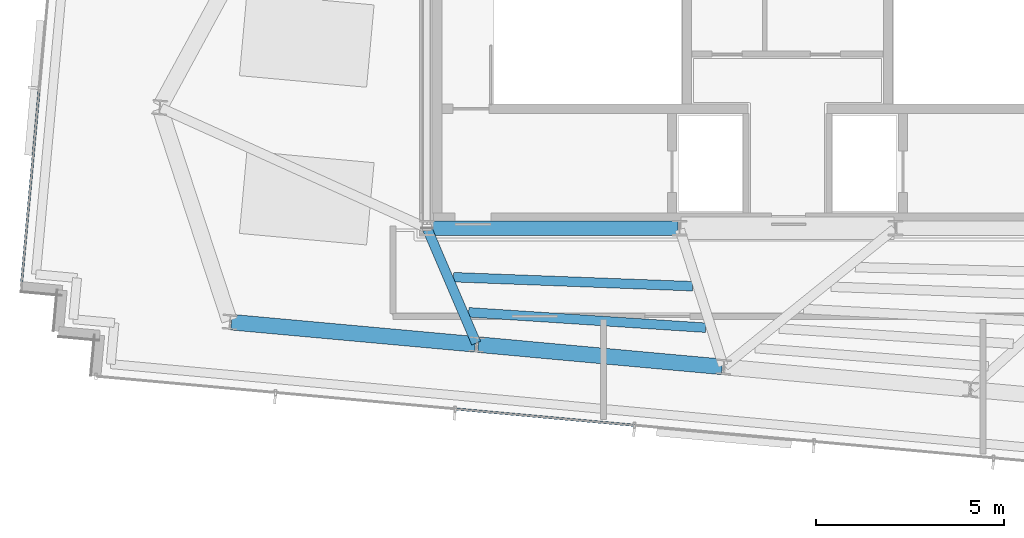
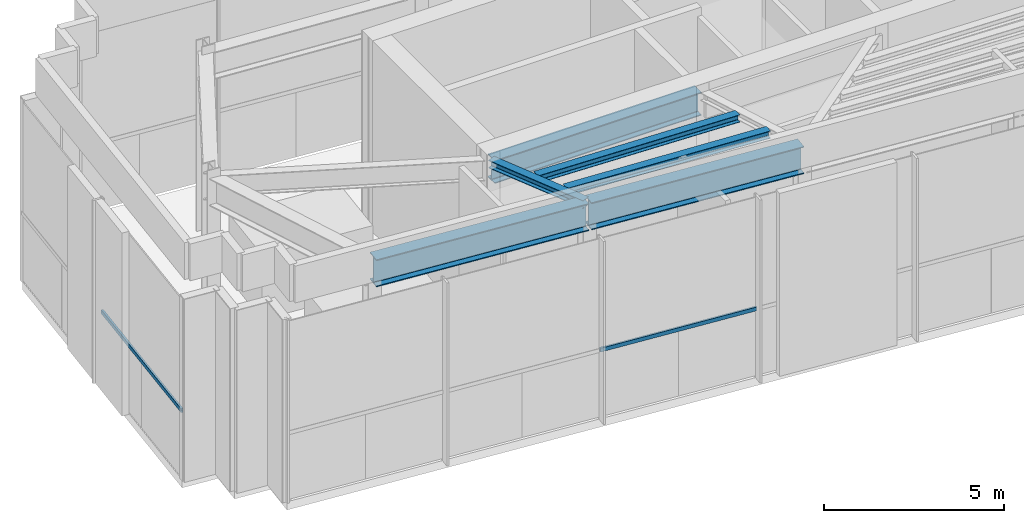
# One storey, part 3 of 18: 6 beams, 2 members, 2 elements without a shape of their own.
"""IFC4 building model written with IfcOpenShell, lengths in metres."""

import ifcopenshell
import ifcopenshell.guid

model = None  # the IFC model being written
_history = None  # IfcOwnerHistory: only IFC2X3 demands one
_inside = {}  # id of a spatial element -> (the spatial element, [elements in it])
_under = {}  # id of a project, library or spatial element -> (it, [spatial elements below it])
_declared = {}  # id of a project -> (the project, [libraries it declares])
_typed = {}  # id of a type object -> (the type object, [elements of that type])
_made_of = {}  # id of a material, layer set ... -> (it, [elements and type objects made of it])


def new_model(schema):
    """Start an empty IFC model of exactly this schema.

    Asked for "IFC4X3", IfcOpenShell would pick the latest addendum, in which some entities
    have other attributes; the version numbers below select the first issue.
    IFC2X3 requires an IfcOwnerHistory on every rooted entity: one is made here for all.
    """
    global model, _history
    if schema == "IFC4X3":
        model = ifcopenshell.file(schema_version=(4, 3, 0, 0))
    else:
        model = ifcopenshell.file(schema=schema)
    _inside.clear()
    _under.clear()
    _declared.clear()
    _typed.clear()
    _made_of.clear()
    _history = None
    if model.schema == "IFC2X3":
        org = make("IfcOrganization", Name="unknown")
        user = make(
            "IfcPersonAndOrganization",
            ThePerson=make("IfcPerson", FamilyName="unknown"),
            TheOrganization=org,
        )
        app = make(
            "IfcApplication",
            ApplicationDeveloper=org,
            Version="unknown",
            ApplicationFullName="unknown",
            ApplicationIdentifier="unknown",
        )
        _history = make(
            "IfcOwnerHistory",
            OwningUser=user,
            OwningApplication=app,
            ChangeAction="ADDED",
            CreationDate=0,
        )
    return model


def make(cls, **values):
    """One entity of the class cls with the attributes given. An attribute that is None is left unset."""
    return model.create_entity(
        cls, **{name: value for name, value in values.items() if value is not None}
    )


def rooted(cls, **values):
    """An entity with a GlobalId (a new one), such as an element, a storey or a relation."""
    return make(cls, GlobalId=ifcopenshell.guid.new(), OwnerHistory=_history, **values)


def si_unit(unit_type, name, prefix=None):
    """IfcSIUnit, for example si_unit("LENGTHUNIT", "METRE", prefix="MILLI")."""
    return make("IfcSIUnit", UnitType=unit_type, Prefix=prefix, Name=name)


def assignment(units):
    """IfcUnitAssignment: the units of a project."""
    return None if units is None else make("IfcUnitAssignment", Units=units)


def point(xyz):
    """IfcCartesianPoint."""
    return None if xyz is None else make("IfcCartesianPoint", Coordinates=xyz)


def direction(xyz):
    """IfcDirection."""
    return None if xyz is None else make("IfcDirection", DirectionRatios=xyz)


def frame(location, z_axis=None, x_axis=None):
    """IfcAxis2Placement3D, a coordinate frame: its origin and axes. An axis left out is left unset."""
    return make(
        "IfcAxis2Placement3D",
        Location=point(location),
        Axis=direction(z_axis),
        RefDirection=direction(x_axis),
    )


def frame_2d(location, x_axis=None):
    """IfcAxis2Placement2D, a coordinate frame in the plane: its origin and x axis."""
    return make(
        "IfcAxis2Placement2D", Location=point(location), RefDirection=direction(x_axis)
    )


def origin():
    """The frame at (0, 0, 0) with its axes left unset."""
    return frame((0.0, 0.0, 0.0))


def origin_2d():
    """The frame at (0, 0) in the plane with its x axis left unset."""
    return frame_2d((0.0, 0.0))


def place(relative_to, where):
    """IfcLocalPlacement: puts the frame where relative to a parent placement (None: the world)."""
    return make(
        "IfcLocalPlacement", PlacementRelTo=relative_to, RelativePlacement=where
    )


def context(
    kind, dimensions, precision=None, world=None, true_north=None, identifier=None
):
    """IfcGeometricRepresentationContext, for example the 3D "Model" context."""
    return make(
        "IfcGeometricRepresentationContext",
        ContextIdentifier=identifier,
        ContextType=kind,
        CoordinateSpaceDimension=dimensions,
        Precision=precision,
        WorldCoordinateSystem=world,
        TrueNorth=true_north,
    )


def subcontext(parent, identifier, kind, view, scale=None):
    """IfcGeometricRepresentationSubContext, for example "Body" below "Model"."""
    return make(
        "IfcGeometricRepresentationSubContext",
        ContextIdentifier=identifier,
        ContextType=kind,
        ParentContext=parent,
        TargetScale=scale,
        TargetView=view,
    )


def project(units=None, contexts=None):
    """IfcProject with its units and contexts."""
    return rooted(
        "IfcProject",
        Name="project",
        RepresentationContexts=contexts,
        UnitsInContext=assignment(units),
    )


def spatial(cls, under=None, at=None, **own):
    """A site, building, storey or space (cls), placed at a placement, below another one or the project."""
    s = rooted(cls, ObjectPlacement=at, **own)
    if under is not None:
        _under.setdefault(under.id(), (under, []))[1].append(s)
    return s


def profile(cls, at=None, kind="AREA", **sizes):
    """A parametric profile (cls). Its sizes go by their IFC names, for example OverallWidth=200.0."""
    return make(cls, ProfileType=kind, Position=at, **sizes)


def hollow_rectangle(**sizes):
    """IfcRectangleHollowProfileDef."""
    return profile("IfcRectangleHollowProfileDef", **sizes)


def i_section(**sizes):
    """IfcIShapeProfileDef."""
    return profile("IfcIShapeProfileDef", **sizes)


def extrude(swept, where, along, depth):
    """IfcExtrudedAreaSolid: the profile swept, set in the frame where, extruded along a direction by depth."""
    return make(
        "IfcExtrudedAreaSolid",
        SweptArea=swept,
        Position=where,
        ExtrudedDirection=direction(along),
        Depth=depth,
    )


def shape(context_of_items, identifier, shape_type, items):
    """IfcShapeRepresentation: the items that make up one representation, for example the "Body"."""
    return make(
        "IfcShapeRepresentation",
        ContextOfItems=context_of_items,
        RepresentationIdentifier=identifier,
        RepresentationType=shape_type,
        Items=items,
    )


def source(mapping_origin, context_of_items, identifier, shape_type, items):
    """IfcRepresentationMap: a shape defined once, which mapped items show again and again."""
    return make(
        "IfcRepresentationMap",
        MappingOrigin=mapping_origin,
        MappedRepresentation=shape(context_of_items, identifier, shape_type, items),
    )


def transform(
    local_origin,
    x_axis=None,
    y_axis=None,
    z_axis=None,
    scale=None,
    scale2=None,
    scale3=None,
    uniform=True,
):
    """IfcCartesianTransformationOperator3D, or its non-uniform kind. x_axis, y_axis, z_axis: its Axis1, 2, 3."""
    if uniform:
        return make(
            "IfcCartesianTransformationOperator3D",
            Axis1=direction(x_axis),
            Axis2=direction(y_axis),
            LocalOrigin=point(local_origin),
            Scale=scale,
            Axis3=direction(z_axis),
        )
    return make(
        "IfcCartesianTransformationOperator3DnonUniform",
        Axis1=direction(x_axis),
        Axis2=direction(y_axis),
        LocalOrigin=point(local_origin),
        Scale=scale,
        Axis3=direction(z_axis),
        Scale2=scale2,
        Scale3=scale3,
    )


def mapped(mapping_source, mapping_target):
    """IfcMappedItem: shows the shape of a source again, moved by a transform."""
    return make(
        "IfcMappedItem", MappingSource=mapping_source, MappingTarget=mapping_target
    )


def material(Name=None, Category=None):
    """IfcMaterial."""
    return make("IfcMaterial", Name=Name, Category=Category)


def material_profile(
    of_material, cross_section, Name=None, Category=None, Priority=None
):
    """IfcMaterialProfile: a cross section and its material."""
    return make(
        "IfcMaterialProfile",
        Name=Name,
        Material=of_material,
        Profile=cross_section,
        Priority=Priority,
        Category=Category,
    )


def profile_set(profiles, Name=None, composite=None):
    """IfcMaterialProfileSet."""
    return make(
        "IfcMaterialProfileSet",
        Name=Name,
        MaterialProfiles=profiles,
        CompositeProfile=composite,
    )


def made_of(thing, what):
    """Note that an element or type object is made of a material, layer set ...; save() writes the relation."""
    if what is not None:
        _made_of.setdefault(what.id(), (what, []))[1].append(thing)
    return thing


def type_object(cls, material=None, **own):
    """A type object (cls), such as IfcWallType, which elements share."""
    return made_of(rooted(cls, **own), material)


def type_shapes(of_type, sources):
    """Give a type object the sources (RepresentationMaps) that its elements show as mapped items."""
    of_type.RepresentationMaps = sources


def element(
    cls,
    number,
    at=None,
    inside=None,
    cuts=None,
    type_object=None,
    material=None,
    context=None,
    identifier="Body",
    shape_type=None,
    held_by="IfcProductDefinitionShape",
    body=None,
    shapes=None,
    **own,
):
    """One element of the class cls, such as IfcWall. Its Tag is "e" and its number.

    at: its placement. inside: the storey or other place that contains it. cuts: it is an
    opening in that element (IfcRelVoidsElement). A single representation is given by context,
    identifier, shape_type and body (its items); several are given by shapes. held_by: the class
    of the entity that holds the representations. save() writes the other relations.
    """
    e = rooted(cls, Tag="e%d" % number, ObjectPlacement=at, **own)
    if body is not None:
        shapes = [shape(context, identifier, shape_type, body)]
    if shapes is not None:
        e.Representation = make(held_by, Representations=shapes)
    if inside is not None:
        _inside.setdefault(inside.id(), (inside, []))[1].append(e)
    if cuts is not None:
        rooted(
            "IfcRelVoidsElement", RelatingBuildingElement=cuts, RelatedOpeningElement=e
        )
    if type_object is not None:
        _typed.setdefault(type_object.id(), (type_object, []))[1].append(e)
    return made_of(e, material)


def aggregate(whole, parts):
    """IfcRelAggregates: a whole, such as a stair, and the parts it consists of."""
    return rooted("IfcRelAggregates", RelatingObject=whole, RelatedObjects=parts)


def save(model, path):
    """Write the relations noted so far, then the file.

    IfcRelAggregates (storeys below a building ...), IfcRelContainedInSpatialStructure (elements
    in a storey), IfcRelDefinesByType, IfcRelAssociatesMaterial and IfcRelDeclares: one each for
    every whole, place, type object, material and project.
    """
    for whole, parts in _under.values():
        aggregate(whole, parts)
    for where, things in _inside.values():
        rooted(
            "IfcRelContainedInSpatialStructure",
            RelatedElements=things,
            RelatingStructure=where,
        )
    for kind, things in _typed.values():
        rooted("IfcRelDefinesByType", RelatedObjects=things, RelatingType=kind)
    for what, things in _made_of.values():
        rooted("IfcRelAssociatesMaterial", RelatedObjects=things, RelatingMaterial=what)
    for by, libraries in _declared.values():
        rooted("IfcRelDeclares", RelatingContext=by, RelatedDefinitions=libraries)
    model.write(path)


model = new_model("IFC4")

# Units and contexts
model_context = context("Model", 3, precision=1e-05, world=origin(), true_north=direction((0.0, 1.0)))
body_context = subcontext(model_context, "Body", "Model", "MODEL_VIEW")
ifc_project = project(units=[si_unit("LENGTHUNIT", "METRE"), si_unit("AREAUNIT", "SQUARE_METRE"), si_unit("VOLUMEUNIT", "CUBIC_METRE"), si_unit("PLANEANGLEUNIT", "RADIAN"), si_unit("MASSUNIT", "GRAM", prefix="KILO")], contexts=[model_context])

# Site, building, storey
site_placement = place(None, origin())
site = spatial("IfcSite", under=ifc_project, at=site_placement, CompositionType="ELEMENT")
building_placement = place(site_placement, origin())
building = spatial("IfcBuilding", under=site, at=building_placement, Name="Astriad Promenade Condominiums", CompositionType="ELEMENT")
storey_placement = place(building_placement, frame((0.0, 0.0, 290.300048828125)))
storey = spatial("IfcBuildingStorey", under=building, at=storey_placement, Name="L80", CompositionType="ELEMENT", Elevation=290.300048828125)

# Beams
ifc_material_1 = material(Name="Steel ASTM A992 Grade 50", Category="steel")
ifc_material_profile_1 = material_profile(ifc_material_1, i_section(OverallWidth=0.3837890625, OverallDepth=0.785888671875, WebThickness=0.019775390625, FlangeThickness=0.033447265625, FilletRadius=0.021484375, at=origin_2d()), Name="W30X211")
ifc_profile_set_1 = profile_set([ifc_material_profile_1], Name="Steel ASTM A992 Grade 50")
beam_type_1 = type_object("IfcBeamType", Name="STEEL FLOOR GIRDER W30X211", PredefinedType="BEAM", material=ifc_profile_set_1)
shared_shape_1 = source(origin(), body_context, "Body", "SweptSolid", [
    extrude(i_section(OverallWidth=0.3837890625, OverallDepth=0.785888671875, WebThickness=0.019775390625, FlangeThickness=0.033447265625, FilletRadius=0.021484375, at=origin_2d()), origin(), (0.0, 0.0, 1.0), 6.64013671875),
])
type_shapes(beam_type_1, [shared_shape_1])
beam_1_placement = place(storey_placement, frame((26.43994140625, 17.39990234375, 5.826904296875), z_axis=(1.0, 0.0, 0.0), x_axis=(0.0, 1.0, 0.0)))
element("IfcBeam", 1, at=beam_1_placement, inside=storey, type_object=beam_type_1, Name="Core Ring Beam CG-S1-L80", PredefinedType="BEAM", context=body_context, shape_type="MappedRepresentation", body=[
    mapped(shared_shape_1, transform((0.0, 0.0, 0.0), scale=1.0)),
])
ifc_material_profile_2 = material_profile(ifc_material_1, i_section(OverallWidth=0.25732421875, OverallDepth=0.26416015625, WebThickness=0.011962890625, FlangeThickness=0.01953125, FilletRadius=0.0126953125, at=origin_2d()), Name="W10X68")
ifc_profile_set_2 = profile_set([ifc_material_profile_2], Name="Steel ASTM A992 Grade 50")
beam_type_2 = type_object("IfcBeamType", Name="STEEL CANOPY BEAM W10X68", PredefinedType="BEAM", material=ifc_profile_set_2)
shared_shape_2 = source(origin(), body_context, "Body", "SweptSolid", [
    extrude(i_section(OverallWidth=0.25732421875, OverallDepth=0.26416015625, WebThickness=0.011962890625, FlangeThickness=0.01953125, FilletRadius=0.0126953125, at=origin_2d()), origin(), (0.0, 0.0, 1.0), 3.291259765625),
])
type_shapes(beam_type_2, [shared_shape_2])
beam_2_placement = place(storey_placement, frame((27.711181640625, 14.337646484375, 6.087890625), z_axis=(-0.39358803023, 0.919286931518, 0.0), x_axis=(-0.919286931518, -0.39358803023, 0.0)))
element("IfcBeam", 2, at=beam_2_placement, inside=storey, type_object=beam_type_2, Name="Primary Floor Girder PG-W2-L80", PredefinedType="BEAM", context=body_context, shape_type="MappedRepresentation", body=[
    mapped(shared_shape_2, transform((0.0, 0.0, 0.0), scale=1.0)),
])
ifc_material_profile_3 = material_profile(ifc_material_1, i_section(OverallWidth=0.418212890625, OverallDepth=0.926513671875, WebThickness=0.019287109375, FlangeThickness=0.031982421875, FilletRadius=0.024169921875, at=origin_2d()), Name="W36X231")
ifc_profile_set_3 = profile_set([ifc_material_profile_3], Name="Steel ASTM A992 Grade 50")
beam_type_3 = type_object("IfcBeamType", Name="STEEL CROWN RING BEAM W36X231", PredefinedType="BEAM", material=ifc_profile_set_3)
shared_shape_3 = source(origin(), body_context, "Body", "SweptSolid", [
    extrude(i_section(OverallWidth=0.418212890625, OverallDepth=0.926513671875, WebThickness=0.019287109375, FlangeThickness=0.031982421875, FilletRadius=0.024169921875, at=origin_2d()), origin(), (0.0, 0.0, 1.0), 6.52001953125),
])
beam_3_placement = place(storey_placement, frame((21.19384765625, 14.8955078125, 5.756591796875), z_axis=(0.995882457091, -0.090653911438, 0.0), x_axis=(0.090653911438, 0.995882457091, 0.0)))
element("IfcBeam", 3, at=beam_3_placement, inside=storey, type_object=beam_type_3, Name="Perimeter Spandrel Beam SP-S1-L80", PredefinedType="BEAM", context=body_context, shape_type="MappedRepresentation", body=[
    mapped(shared_shape_3, transform((0.0, 0.0, 0.0), scale=1.0)),
])
shared_shape_4 = source(origin(), body_context, "Body", "SweptSolid", [
    extrude(i_section(OverallWidth=0.418212890625, OverallDepth=0.926513671875, WebThickness=0.019287109375, FlangeThickness=0.031982421875, FilletRadius=0.024169921875, at=origin_2d()), origin(), (0.0, 0.0, 1.0), 6.520263671875),
])
type_shapes(beam_type_3, [shared_shape_3, shared_shape_4])
beam_4_placement = place(storey_placement, frame((27.7666015625, 14.29736328125, 5.756591796875), z_axis=(0.9958827648, -0.090650531022, 0.0), x_axis=(0.090650531022, 0.9958827648, 0.0)))
element("IfcBeam", 4, at=beam_4_placement, inside=storey, type_object=beam_type_3, Name="Perimeter Spandrel Beam SP-S2-L80", PredefinedType="BEAM", context=body_context, shape_type="MappedRepresentation", body=[
    mapped(shared_shape_4, transform((0.0, 0.0, 0.0), scale=1.0)),
])
ifc_material_profile_4 = material_profile(ifc_material_1, i_section(OverallWidth=0.25390625, OverallDepth=0.25390625, WebThickness=0.008544921875, FlangeThickness=0.01416015625, FilletRadius=0.0126953125, at=origin_2d()), Name="W10X49")
ifc_profile_set_4 = profile_set([ifc_material_profile_4], Name="Steel ASTM A992 Grade 50")
beam_type_4 = type_object("IfcBeamType", Name="STEEL TRIMMER JOIST W10X49", PredefinedType="JOIST", material=ifc_profile_set_4)
shared_shape_5 = source(origin(), body_context, "Body", "SweptSolid", [
    extrude(i_section(OverallWidth=0.25390625, OverallDepth=0.25390625, WebThickness=0.008544921875, FlangeThickness=0.01416015625, FilletRadius=0.0126953125, at=origin_2d()), origin(), (0.0, 0.0, 1.0), 6.32568359375),
])
beam_5_placement = place(storey_placement, frame((27.50927734375, 15.15869140625, 6.093017578125), z_axis=(0.997885605656, -0.064994753816, 0.0), x_axis=(0.064994753816, 0.997885605656, 0.0)))
element("IfcBeam", 5, at=beam_5_placement, inside=storey, type_object=beam_type_4, Name="Secondary Composite Floor Joist JCW-2-L80", PredefinedType="JOIST", context=body_context, shape_type="MappedRepresentation", body=[
    mapped(shared_shape_5, transform((0.0, 0.0, 0.0), scale=1.0)),
])
shared_shape_6 = source(origin(), body_context, "Body", "SweptSolid", [
    extrude(i_section(OverallWidth=0.25390625, OverallDepth=0.25390625, WebThickness=0.008544921875, FlangeThickness=0.01416015625, FilletRadius=0.0126953125, at=origin_2d()), origin(), (0.0, 0.0, 1.0), 6.36376953125),
])
type_shapes(beam_type_4, [shared_shape_5, shared_shape_6])
beam_6_placement = place(storey_placement, frame((27.109619140625, 16.092529296875, 6.093017578125), z_axis=(0.999290071043, -0.037674313731, 0.0), x_axis=(0.037674313731, 0.999290071043, 0.0)))
element("IfcBeam", 6, at=beam_6_placement, inside=storey, type_object=beam_type_4, Name="Secondary Composite Floor Joist JCW-4-L80", PredefinedType="JOIST", context=body_context, shape_type="MappedRepresentation", body=[
    mapped(shared_shape_6, transform((0.0, 0.0, 0.0), scale=1.0)),
])

# Curtain wall, member
ifc_material_2 = material(Name="Anodised aluminium Black Dark Glass Unitised", Category="aluminium")
curtain_wall_type = type_object("IfcCurtainWallType", Name="CW-TMD-LANTERN", PredefinedType="USERDEFINED", material=ifc_material_2)
curtain_wall_1_placement = place(storey_placement, origin())
curtain_wall_1 = element("IfcCurtainWall", 7, at=curtain_wall_1_placement, inside=storey, type_object=curtain_wall_type, Name="CW-CRN-L80-03", ObjectType="UNITISED_CURTAIN_WALL", PredefinedType="USERDEFINED")
ifc_material_3 = material(Name="Anodised aluminium 6063-T6 Black", Category="aluminium")
ifc_material_profile_5 = material_profile(ifc_material_3, hollow_rectangle(XDim=0.06494140625, YDim=0.1298828125, WallThickness=0.00390625, at=origin_2d()), Name="ALU-TRN-65X130")
ifc_profile_set_5 = profile_set([ifc_material_profile_5], Name="Anodised aluminium 6063-T6 Black")
member_type = type_object("IfcMemberType", Name="TRN-ALU-TRN-65X130", PredefinedType="USERDEFINED", material=ifc_profile_set_5)
shared_shape_7 = source(origin(), body_context, "Body", "SweptSolid", [
    extrude(hollow_rectangle(XDim=0.06494140625, YDim=0.1298828125, WallThickness=0.00390625, at=origin_2d()), origin(), (0.0, 0.0, 1.0), 5.300048828125),
])
member_1_placement = place(storey_placement, frame((15.597900390625, 15.84375, 2.349853515625), z_axis=(0.090606350912, 0.99588678532, 0.0), x_axis=(-0.99588678532, 0.090606350912, 0.0)))
member_1 = element("IfcMember", 8, at=member_1_placement, type_object=member_type, Name="CW-CRN-L80-03-TRN-00-0", ObjectType="TRANSOM", PredefinedType="USERDEFINED", context=body_context, shape_type="MappedRepresentation", body=[
    mapped(shared_shape_7, transform((0.0, 0.0, 0.0), scale=1.0)),
])
aggregate(curtain_wall_1, [member_1])

curtain_wall_2_placement = place(storey_placement, origin())
curtain_wall_2 = element("IfcCurtainWall", 9, at=curtain_wall_2_placement, inside=storey, type_object=curtain_wall_type, Name="CW-CRN-L80-18", ObjectType="UNITISED_CURTAIN_WALL", PredefinedType="USERDEFINED")
shared_shape_8 = source(origin(), body_context, "Body", "SweptSolid", [
    extrude(hollow_rectangle(XDim=0.06494140625, YDim=0.1298828125, WallThickness=0.00390625, at=origin_2d()), origin(), (0.0, 0.0, 1.0), 4.800048828125),
])
type_shapes(member_type, [shared_shape_7, shared_shape_8])
member_2_placement = place(storey_placement, frame((31.93017578125, 12.1484375, 2.349853515625), z_axis=(-0.995884029465, 0.09063663639, 0.0), x_axis=(-0.09063663639, -0.995884029465, 0.0)))
member_2 = element("IfcMember", 10, at=member_2_placement, type_object=member_type, Name="CW-CRN-L80-18-TRN-04-0", ObjectType="TRANSOM", PredefinedType="USERDEFINED", context=body_context, shape_type="MappedRepresentation", body=[
    mapped(shared_shape_8, transform((0.0, 0.0, 0.0), scale=1.0)),
])
aggregate(curtain_wall_2, [member_2])

save(model, "model.ifc")
